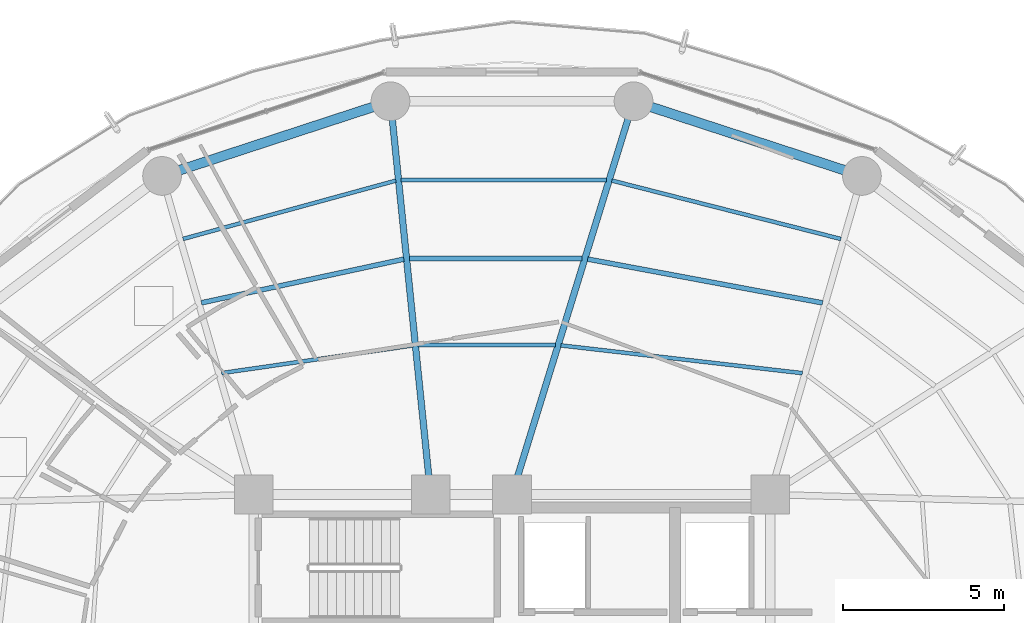
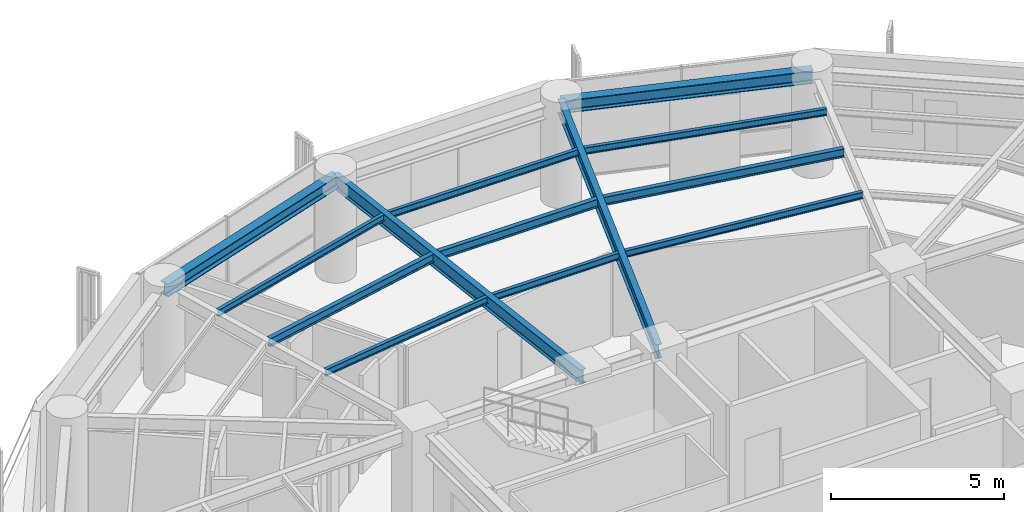
# One storey, part 17 of 27: 13 beams.
"""IFC4 building model written with IfcOpenShell, lengths in metres."""

from ifc_helpers import new_model, si_unit, direction, frame, origin, origin_2d, place, context, subcontext, project, spatial, i_section, extrude, material, material_profile, profile_set, type_object, element, save


model = new_model("IFC4")

# Units and contexts
model_context = context("Model", 3, precision=1e-05, world=origin(), true_north=direction((0.0, 1.0)))
body_context = subcontext(model_context, "Body", "Model", "MODEL_VIEW")
ifc_project = project(units=[si_unit("LENGTHUNIT", "METRE"), si_unit("AREAUNIT", "SQUARE_METRE"), si_unit("VOLUMEUNIT", "CUBIC_METRE"), si_unit("PLANEANGLEUNIT", "RADIAN"), si_unit("MASSUNIT", "GRAM", prefix="KILO")], contexts=[model_context])

# Site, building, storey
site_placement = place(None, origin())
site = spatial("IfcSite", under=ifc_project, at=site_placement, CompositionType="ELEMENT")
building_placement = place(site_placement, origin())
building = spatial("IfcBuilding", under=site, at=building_placement, Name="Kelanora Arch Commons", CompositionType="ELEMENT")
storey_placement = place(building_placement, frame((0.0, 0.0, 154.35009765625)))
storey = spatial("IfcBuildingStorey", under=building, at=storey_placement, Name="L39", CompositionType="ELEMENT", Elevation=154.35009765625)

# Beams
ifc_material = material(Name="Steel S355", Category="steel")
ifc_material_profile_1 = material_profile(ifc_material, i_section(OverallWidth=0.14990234375, OverallDepth=0.300048828125, WebThickness=0.007080078125, FlangeThickness=0.0107421875, FilletRadius=0.014892578125, at=origin_2d()), Name="IPE300")
ifc_profile_set_1 = profile_set([ifc_material_profile_1], Name="Steel S355")
beam_type_1 = type_object("IfcBeamType", Name="BM-JST-01", PredefinedType="JOIST", material=ifc_profile_set_1)
beam_1_placement = place(storey_placement, frame((83.620361328125, 70.937744140625, 3.33984375), z_axis=(-0.983054256126, 0.183314837134, 0.0), x_axis=(-0.183314837134, -0.983054256126, 0.0)))
element("IfcBeam", 1, at=beam_1_placement, inside=storey, type_object=beam_type_1, Name="Secondary Chord Joist BJB-06 L39", PredefinedType="JOIST", context=body_context, shape_type="SweptSolid", body=[
    extrude(i_section(OverallWidth=0.14990234375, OverallDepth=0.300048828125, WebThickness=0.007080078125, FlangeThickness=0.0107421875, FilletRadius=0.014892578125, at=origin_2d()), origin(), (0.0, 0.0, 1.0), 7.403564453125),
])
beam_2_placement = place(storey_placement, frame((76.173828125, 72.310546875, 3.33984375), z_axis=(-1.0, 0.0, 0.0), x_axis=(0.0, -1.0, 0.0)))
element("IfcBeam", 2, at=beam_2_placement, inside=storey, type_object=beam_type_1, Name="Secondary Chord Joist BJB-08 L39", PredefinedType="JOIST", context=body_context, shape_type="SweptSolid", body=[
    extrude(i_section(OverallWidth=0.14990234375, OverallDepth=0.300048828125, WebThickness=0.007080078125, FlangeThickness=0.0107421875, FilletRadius=0.014892578125, at=origin_2d()), origin(), (0.0, 0.0, 1.0), 5.355712890625),
])
beam_3_placement = place(storey_placement, frame((70.650146484375, 72.29248046875, 3.33984375), z_axis=(-0.977521966827, -0.210833594029, 0.0), x_axis=(0.210833594029, -0.977521966827, 0.0)))
element("IfcBeam", 3, at=beam_3_placement, inside=storey, type_object=beam_type_1, Name="Secondary Chord Joist BJB-10 L39", PredefinedType="JOIST", context=body_context, shape_type="SweptSolid", body=[
    extrude(i_section(OverallWidth=0.14990234375, OverallDepth=0.300048828125, WebThickness=0.007080078125, FlangeThickness=0.0107421875, FilletRadius=0.014892578125, at=origin_2d()), origin(), (0.0, 0.0, 1.0), 6.415283203125),
])
ifc_material_profile_2 = material_profile(ifc_material, i_section(OverallWidth=0.1201171875, OverallDepth=0.239990234375, WebThickness=0.006103515625, FlangeThickness=0.009765625, FilletRadius=0.014892578125, at=origin_2d()), Name="IPE240")
ifc_profile_set_2 = profile_set([ifc_material_profile_2], Name="Steel S355")
beam_type_2 = type_object("IfcBeamType", Name="BM-JST-02", PredefinedType="JOIST", material=ifc_profile_set_2)
beam_4_placement = place(storey_placement, frame((82.994873046875, 68.760498046875, 3.369873046875), z_axis=(-0.993457414184, 0.114203179475, 0.0), x_axis=(-0.114203179475, -0.993457414184, 0.0)))
element("IfcBeam", 4, at=beam_4_placement, inside=storey, type_object=beam_type_2, Name="Secondary Chord Joist BJA-06 L39", PredefinedType="JOIST", context=body_context, shape_type="SweptSolid", body=[
    extrude(i_section(OverallWidth=0.1201171875, OverallDepth=0.239990234375, WebThickness=0.006103515625, FlangeThickness=0.009765625, FilletRadius=0.014892578125, at=origin_2d()), origin(), (0.0, 0.0, 1.0), 7.529296875),
])
beam_5_placement = place(storey_placement, frame((84.189697265625, 72.917236328125, 3.369873046875), z_axis=(-0.96900232943, 0.247051584815, 0.0), x_axis=(-0.247051584815, -0.96900232943, 0.0)))
element("IfcBeam", 5, at=beam_5_placement, inside=storey, type_object=beam_type_2, Name="Secondary Chord Joist BJC-06 L39", PredefinedType="JOIST", context=body_context, shape_type="SweptSolid", body=[
    extrude(i_section(OverallWidth=0.1201171875, OverallDepth=0.239990234375, WebThickness=0.006103515625, FlangeThickness=0.009765625, FilletRadius=0.014892578125, at=origin_2d()), origin(), (0.0, 0.0, 1.0), 7.32275390625),
])
beam_6_placement = place(storey_placement, frame((75.345703125, 69.6298828125, 3.369873046875), z_axis=(-1.0, 0.0, 0.0), x_axis=(0.0, -1.0, 0.0)))
element("IfcBeam", 6, at=beam_6_placement, inside=storey, type_object=beam_type_2, Name="Secondary Chord Joist BJA-08 L39", PredefinedType="JOIST", context=body_context, shape_type="SweptSolid", body=[
    extrude(i_section(OverallWidth=0.1201171875, OverallDepth=0.239990234375, WebThickness=0.006103515625, FlangeThickness=0.009765625, FilletRadius=0.014892578125, at=origin_2d()), origin(), (0.0, 0.0, 1.0), 4.253662109375),
])
beam_7_placement = place(storey_placement, frame((76.9267578125, 74.747314453125, 3.369873046875), z_axis=(-1.0, 0.0, 0.0), x_axis=(0.0, -1.0, 0.0)))
element("IfcBeam", 7, at=beam_7_placement, inside=storey, type_object=beam_type_2, Name="Secondary Chord Joist BJC-08 L39", PredefinedType="JOIST", context=body_context, shape_type="SweptSolid", body=[
    extrude(i_section(OverallWidth=0.1201171875, OverallDepth=0.239990234375, WebThickness=0.006103515625, FlangeThickness=0.009765625, FilletRadius=0.014892578125, at=origin_2d()), origin(), (0.0, 0.0, 1.0), 6.357666015625),
])
beam_8_placement = place(storey_placement, frame((70.9228515625, 69.617919921875, 3.369873046875), z_axis=(-0.989718726051, -0.143027421508, 0.0), x_axis=(0.143027421508, -0.989718726051, 0.0)))
element("IfcBeam", 8, at=beam_8_placement, inside=storey, type_object=beam_type_2, Name="Secondary Chord Joist BJA-10 L39", PredefinedType="JOIST", context=body_context, shape_type="SweptSolid", body=[
    extrude(i_section(OverallWidth=0.1201171875, OverallDepth=0.239990234375, WebThickness=0.006103515625, FlangeThickness=0.009765625, FilletRadius=0.014892578125, at=origin_2d()), origin(), (0.0, 0.0, 1.0), 5.9794921875),
])
beam_9_placement = place(storey_placement, frame((70.40234375, 74.724853515625, 3.369873046875), z_axis=(-0.964456541131, -0.264241518824, 0.0), x_axis=(0.264241518824, -0.964456541131, 0.0)))
element("IfcBeam", 9, at=beam_9_placement, inside=storey, type_object=beam_type_2, Name="Secondary Chord Joist BJC-10 L39", PredefinedType="JOIST", context=body_context, shape_type="SweptSolid", body=[
    extrude(i_section(OverallWidth=0.1201171875, OverallDepth=0.239990234375, WebThickness=0.006103515625, FlangeThickness=0.009765625, FilletRadius=0.014892578125, at=origin_2d()), origin(), (0.0, 0.0, 1.0), 6.835205078125),
])
ifc_material_profile_3 = material_profile(ifc_material, i_section(OverallWidth=0.199951171875, OverallDepth=0.5, WebThickness=0.01025390625, FlangeThickness=0.01611328125, FilletRadius=0.02099609375, at=origin_2d()), Name="IPE500")
ifc_profile_set_3 = profile_set([ifc_material_profile_3], Name="Steel S355")
beam_type_3 = type_object("IfcBeamType", Name="BM-RAD-Z3", PredefinedType="BEAM", material=ifc_profile_set_3)
beam_10_placement = place(storey_placement, frame((74.0, 65.0, 3.239990234375), z_axis=(0.295210315095, 0.955432294755, 0.0), x_axis=(-0.955432294755, 0.295210315095, 0.0)))
element("IfcBeam", 10, at=beam_10_placement, inside=storey, type_object=beam_type_3, Name="Radial Floor Girder BR-08 L39", PredefinedType="BEAM", context=body_context, shape_type="SweptSolid", body=[
    extrude(i_section(OverallWidth=0.199951171875, OverallDepth=0.5, WebThickness=0.01025390625, FlangeThickness=0.01611328125, FilletRadius=0.02099609375, at=origin_2d()), origin(), (0.0, 0.0, 1.0), 12.75244140625),
])
beam_11_placement = place(storey_placement, frame((71.47998046875, 65.0, 3.239990234375), z_axis=(-0.101623200789, 0.994822961668, 0.0), x_axis=(-0.994822961668, -0.101623200789, 0.0)))
element("IfcBeam", 11, at=beam_11_placement, inside=storey, type_object=beam_type_3, Name="Radial Floor Girder BR-10 L39", PredefinedType="BEAM", context=body_context, shape_type="SweptSolid", body=[
    extrude(i_section(OverallWidth=0.199951171875, OverallDepth=0.5, WebThickness=0.01025390625, FlangeThickness=0.01611328125, FilletRadius=0.02099609375, at=origin_2d()), origin(), (0.0, 0.0, 1.0), 12.24755859375),
])
ifc_material_profile_4 = material_profile(ifc_material, i_section(OverallWidth=0.300048828125, OverallDepth=0.449951171875, WebThickness=0.013916015625, FlangeThickness=0.02587890625, FilletRadius=0.027099609375, at=origin_2d()), Name="HEB450")
ifc_profile_set_4 = profile_set([ifc_material_profile_4], Name="Steel S355")
beam_type_4 = type_object("IfcBeamType", Name="BM-SPN-Z3", PredefinedType="SPANDREL", material=ifc_profile_set_4)
for number, where, z_axis, x_axis, name in (
    (12, (84.840087890625, 74.8701171875, 3.264892578125), (-0.950461975786, 0.310840847676, 0.0), (-0.310840847676, -0.950461975786, 0.0), "Perimeter Spandrel Beam BS-06 L39"),
    (13, (70.2353515625, 77.18408203125, 3.264892578125), (-0.950461975786, -0.310840847676, 0.0), (0.310840847676, -0.950461975786, 0.0), "Perimeter Spandrel Beam BS-10 L39"),
):
    element("IfcBeam", number, at=place(storey_placement, frame(where, z_axis=z_axis, x_axis=x_axis)), inside=storey, type_object=beam_type_4, Name=name, PredefinedType="SPANDREL", context=body_context, shape_type="SweptSolid", body=[
        extrude(i_section(OverallWidth=0.300048828125, OverallDepth=0.449951171875, WebThickness=0.013916015625, FlangeThickness=0.02587890625, FilletRadius=0.027099609375, at=origin_2d()), origin(), (0.0, 0.0, 1.0), 7.444091796875),
    ])

save(model, "model.ifc")
